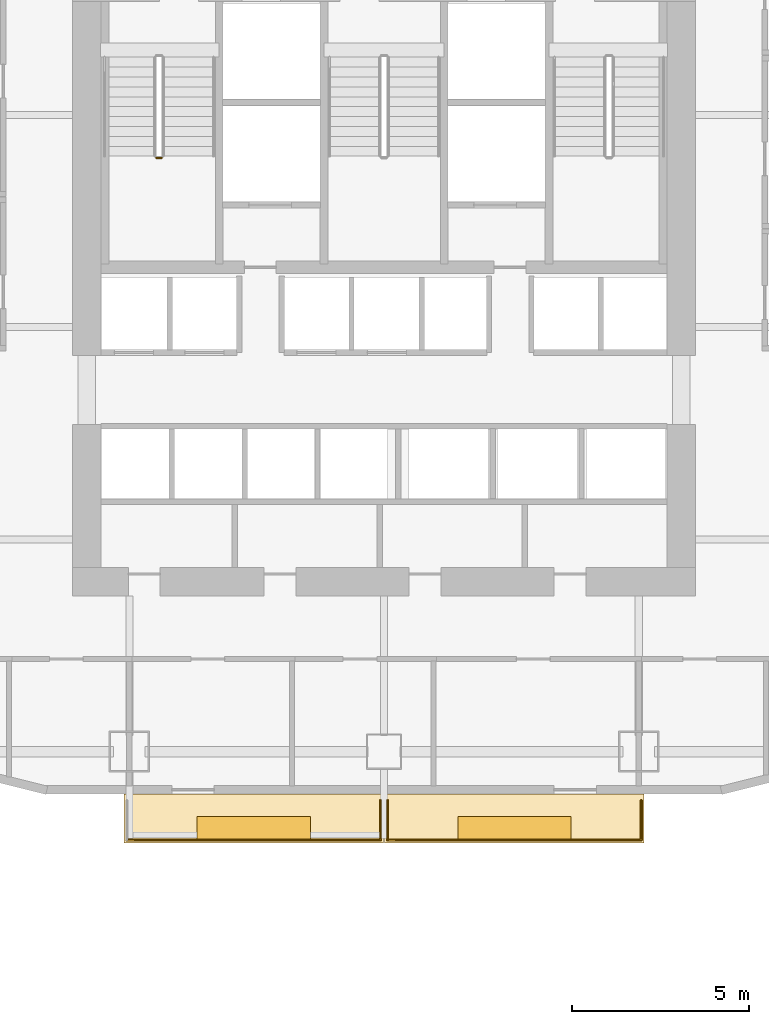
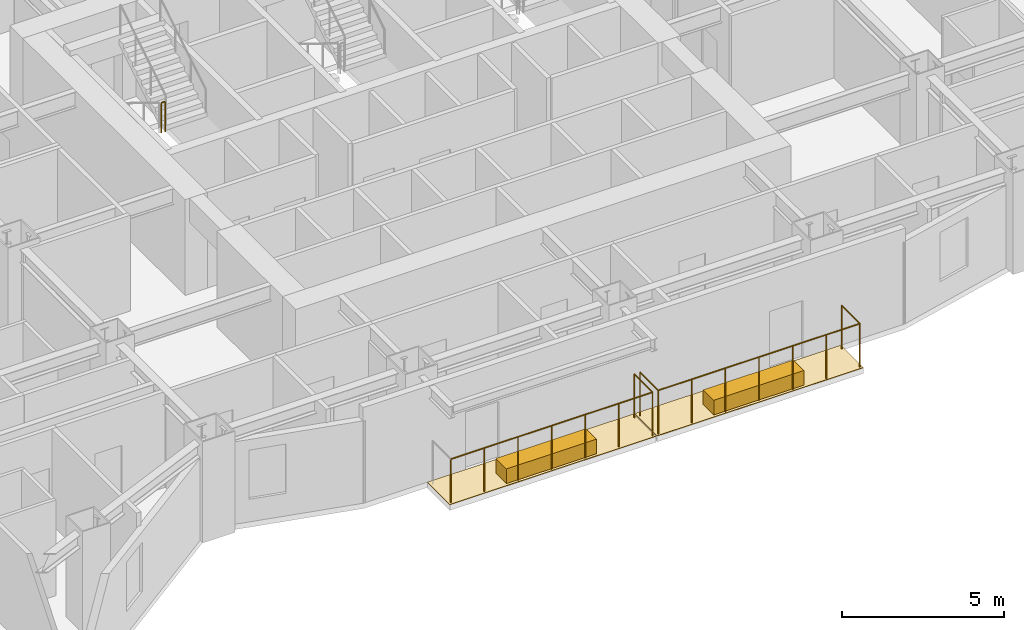
# One storey, part 15 of 18: 4 coverings, 4 railings.
"""IFC4 building model written with IfcOpenShell, lengths in metres."""

from ifc_helpers import new_model, si_unit, direction, frame, origin, origin_2d, place, context, subcontext, project, spatial, polyline, rectangle, circle, outline, extrude, material, layer, layer_set, type_object, element, save


model = new_model("IFC4")

# Units and contexts
model_context = context("Model", 3, precision=1e-05, world=origin(), true_north=direction((0.0, 1.0)))
body_context = subcontext(model_context, "Body", "Model", "MODEL_VIEW")
ifc_project = project(units=[si_unit("LENGTHUNIT", "METRE"), si_unit("AREAUNIT", "SQUARE_METRE"), si_unit("VOLUMEUNIT", "CUBIC_METRE"), si_unit("PLANEANGLEUNIT", "RADIAN"), si_unit("MASSUNIT", "GRAM", prefix="KILO")], contexts=[model_context])

# Site, building, storey
site_placement = place(None, origin())
site = spatial("IfcSite", under=ifc_project, at=site_placement, CompositionType="ELEMENT")
building_placement = place(site_placement, origin())
building = spatial("IfcBuilding", under=site, at=building_placement, Name="Haolan Belvedere Tower", CompositionType="ELEMENT")
storey_placement = place(building_placement, frame((0.0, 0.0, 51.39990234375)))
storey = spatial("IfcBuildingStorey", under=building, at=storey_placement, Name="L12", CompositionType="ELEMENT", Elevation=51.39990234375)

# Coverings
ifc_material_1 = material(Name="Engineered lightweight planted garden soil substrate", Category="masonry")
ifc_layer_1 = layer(ifc_material_1, 0.550048828125, Name="Engineered lightweight planted garden soil substrate")
ifc_layer_set_1 = layer_set([ifc_layer_1], Name="Engineered lightweight planted garden soil substrate")
covering_type_1 = type_object("IfcCoveringType", Name="COV-PLANT-550", PredefinedType="MEMBRANE", material=ifc_layer_set_1)
for number, where, z_axis, x_axis, name in (
    (1, (34.715087890625, 19.43994140625, 0.0), (0.0, 0.0, 1.0), (1.0, 0.0, 0.0), "L12 structural tree balcony PLANTER box 1"),
    (2, (42.0849609375, 19.43994140625, 0.0), (0.0, 0.0, 1.0), (1.0, 0.0, 0.0), "L12 structural tree balcony PLANTER box 2"),
):
    element("IfcCovering", number, at=place(storey_placement, frame(where, z_axis=z_axis, x_axis=x_axis)), inside=storey, type_object=covering_type_1, Name=name, PredefinedType="MEMBRANE", context=body_context, shape_type="SweptSolid", body=[
        extrude(rectangle(XDim=3.199951171875, YDim=0.64990234375, at=origin_2d()), origin(), (0.0, 0.0, 1.0), 0.550048828125),
    ])
ifc_material_2 = material(Name="Elastomeric waterproof roofing membrane and stone pavers", Category="masonry")
ifc_layer_2 = layer(ifc_material_2, 0.02001953125, Name="Elastomeric waterproof roofing membrane and stone pavers")
ifc_layer_set_2 = layer_set([ifc_layer_2], Name="Elastomeric waterproof roofing membrane and stone pavers")
covering_type_2 = type_object("IfcCoveringType", Name="COV-ROOF-20", PredefinedType="ROOFING", material=ifc_layer_set_2)
covering_1_placement = place(storey_placement, frame((0.0, 0.0, -0.02001953125)))
element("IfcCovering", 3, at=covering_1_placement, inside=storey, type_object=covering_type_2, Name="L12 tree-balcony waterproof membrane 1", PredefinedType="ROOFING", context=body_context, shape_type="SweptSolid", body=[
    extrude(outline(polyline([(31.050048828125, 19.02001953125), (38.3798828125, 19.02001953125), (38.3798828125, 20.39990234375), (31.050048828125, 20.39990234375), (31.050048828125, 19.02001953125)])), origin(), (0.0, 0.0, 1.0), 0.02001953125),
])
covering_2_placement = place(storey_placement, frame((0.0, 0.0, -0.02001953125)))
element("IfcCovering", 4, at=covering_2_placement, inside=storey, type_object=covering_type_2, Name="L12 tree-balcony waterproof membrane 2", PredefinedType="ROOFING", context=body_context, shape_type="SweptSolid", body=[
    extrude(outline(polyline([(38.419921875, 19.02001953125), (45.75, 19.02001953125), (45.75, 20.39990234375), (38.419921875, 20.39990234375), (38.419921875, 19.02001953125)])), origin(), (0.0, 0.0, 1.0), 0.02001953125),
])

# Railings
ifc_material_3 = material(Name="Brushed stainless steel 304", Category="steel")
railing_type_1 = type_object("IfcRailingType", Name="RL-STAIR-GRD-1150", PredefinedType="GUARDRAIL", material=ifc_material_3)
railing_1_placement = place(storey_placement, frame((31.969970703125, 38.3798828125, 1.900146484375)))
element("IfcRailing", 5, at=railing_1_placement, inside=storey, type_object=railing_type_1, Name="L12 ST1 stair guard 2", PredefinedType="GUARDRAIL", context=body_context, shape_type="SweptSolid", body=[
    extrude(circle(Radius=0.02392578125, at=origin_2d()), frame((0.0, 0.0, 1.1259765625), z_axis=(1.0, 0.0, 0.0), x_axis=(0.0, 1.0, 0.0)), (0.0, 0.0, 1.0), 0.14013671875),
    extrude(circle(Radius=0.02099609375, at=origin_2d()), origin(), (0.0, 0.0, 1.0), 1.101806640625),
    extrude(circle(Radius=0.02099609375, at=origin_2d()), frame((0.14013671875, 0.0, 0.0)), (0.0, 0.0, 1.0), 1.101806640625),
])
ifc_material_4 = material(Name="Anodised aluminium and laminated glass balustrade", Category="aluminium")
railing_type_2 = type_object("IfcRailingType", Name="RL-TER-BAL-1150", PredefinedType="BALUSTRADE", material=ifc_material_4)
railing_2_placement = place(storey_placement, frame((38.300048828125, 20.219970703125, 0.0)))
element("IfcRailing", 6, at=railing_2_placement, inside=storey, type_object=railing_type_2, Name="L12 outdoor perimeter balustrade BAL-L12-1-2", PredefinedType="BALUSTRADE", context=body_context, shape_type="SweptSolid", body=[
    extrude(circle(Radius=0.02392578125, at=origin_2d()), frame((0.0, 0.0, 1.6259765625), z_axis=(0.0, -1.0, 0.0), x_axis=(1.0, 0.0, 0.0)), (0.0, 0.0, 1.0), 1.119873046875),
    extrude(circle(Radius=0.02392578125, at=origin_2d()), frame((0.0, -1.119873046875, 1.6259765625), z_axis=(-1.0, 0.0, 0.0), x_axis=(0.0, -1.0, 0.0)), (0.0, 0.0, 1.0), 7.170166015625),
    extrude(circle(Radius=0.02099609375, at=origin_2d()), origin(), (0.0, 0.0, 1.0), 1.601806640625),
    extrude(circle(Radius=0.02099609375, at=origin_2d()), frame((0.0, -1.119873046875, 0.0)), (0.0, 0.0, 1.0), 1.601806640625),
    extrude(circle(Radius=0.02099609375, at=origin_2d()), frame((-1.195068359375, -1.119873046875, 0.0)), (0.0, 0.0, 1.0), 1.601806640625),
    extrude(circle(Radius=0.02099609375, at=origin_2d()), frame((-2.39013671875, -1.119873046875, 0.0)), (0.0, 0.0, 1.0), 1.601806640625),
    extrude(circle(Radius=0.02099609375, at=origin_2d()), frame((-3.5849609375, -1.119873046875, 0.0)), (0.0, 0.0, 1.0), 1.601806640625),
    extrude(circle(Radius=0.02099609375, at=origin_2d()), frame((-4.780029296875, -1.119873046875, 0.0)), (0.0, 0.0, 1.0), 1.601806640625),
    extrude(circle(Radius=0.02099609375, at=origin_2d()), frame((-5.97509765625, -1.119873046875, 0.0)), (0.0, 0.0, 1.0), 1.601806640625),
    extrude(circle(Radius=0.02099609375, at=origin_2d()), frame((-7.170166015625, -1.119873046875, 0.0)), (0.0, 0.0, 1.0), 1.601806640625),
])
railing_3_placement = place(storey_placement, frame((38.5, 19.10009765625, 0.0)))
element("IfcRailing", 7, at=railing_3_placement, inside=storey, type_object=railing_type_2, Name="L12 outdoor perimeter balustrade BAL-L12-2-1", PredefinedType="BALUSTRADE", context=body_context, shape_type="SweptSolid", body=[
    extrude(circle(Radius=0.02392578125, at=origin_2d()), frame((0.0, 0.0, 1.6259765625), z_axis=(0.0, 1.0, 0.0), x_axis=(-1.0, 0.0, 0.0)), (0.0, 0.0, 1.0), 1.119873046875),
    extrude(circle(Radius=0.02099609375, at=origin_2d()), origin(), (0.0, 0.0, 1.0), 1.601806640625),
    extrude(circle(Radius=0.02099609375, at=origin_2d()), frame((0.0, 1.119873046875, 0.0)), (0.0, 0.0, 1.0), 1.601806640625),
])
railing_4_placement = place(storey_placement, frame((45.669921875, 20.219970703125, 0.0)))
element("IfcRailing", 8, at=railing_4_placement, inside=storey, type_object=railing_type_2, Name="L12 outdoor perimeter balustrade BAL-L12-2-2", PredefinedType="BALUSTRADE", context=body_context, shape_type="SweptSolid", body=[
    extrude(circle(Radius=0.02392578125, at=origin_2d()), frame((0.0, 0.0, 1.6259765625), z_axis=(0.0, -1.0, 0.0), x_axis=(1.0, 0.0, 0.0)), (0.0, 0.0, 1.0), 1.119873046875),
    extrude(circle(Radius=0.02392578125, at=origin_2d()), frame((0.0, -1.119873046875, 1.6259765625), z_axis=(-1.0, 0.0, 0.0), x_axis=(0.0, -1.0, 0.0)), (0.0, 0.0, 1.0), 7.169921875),
    extrude(circle(Radius=0.02099609375, at=origin_2d()), origin(), (0.0, 0.0, 1.0), 1.601806640625),
    extrude(circle(Radius=0.02099609375, at=origin_2d()), frame((0.0, -1.119873046875, 0.0)), (0.0, 0.0, 1.0), 1.601806640625),
    extrude(circle(Radius=0.02099609375, at=origin_2d()), frame((-1.195068359375, -1.119873046875, 0.0)), (0.0, 0.0, 1.0), 1.601806640625),
    extrude(circle(Radius=0.02099609375, at=origin_2d()), frame((-2.389892578125, -1.119873046875, 0.0)), (0.0, 0.0, 1.0), 1.601806640625),
    extrude(circle(Radius=0.02099609375, at=origin_2d()), frame((-3.5849609375, -1.119873046875, 0.0)), (0.0, 0.0, 1.0), 1.601806640625),
    extrude(circle(Radius=0.02099609375, at=origin_2d()), frame((-4.780029296875, -1.119873046875, 0.0)), (0.0, 0.0, 1.0), 1.601806640625),
    extrude(circle(Radius=0.02099609375, at=origin_2d()), frame((-5.974853515625, -1.119873046875, 0.0)), (0.0, 0.0, 1.0), 1.601806640625),
    extrude(circle(Radius=0.02099609375, at=origin_2d()), frame((-7.169921875, -1.119873046875, 0.0)), (0.0, 0.0, 1.0), 1.601806640625),
])

save(model, "model.ifc")
